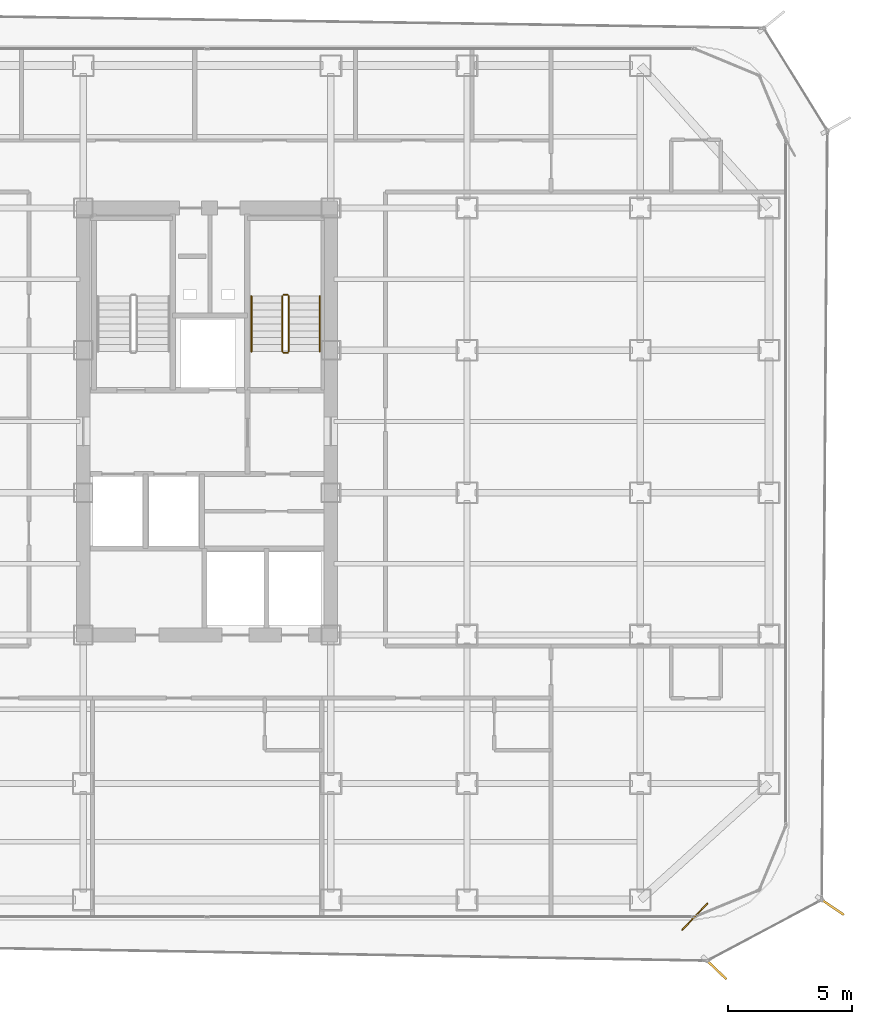
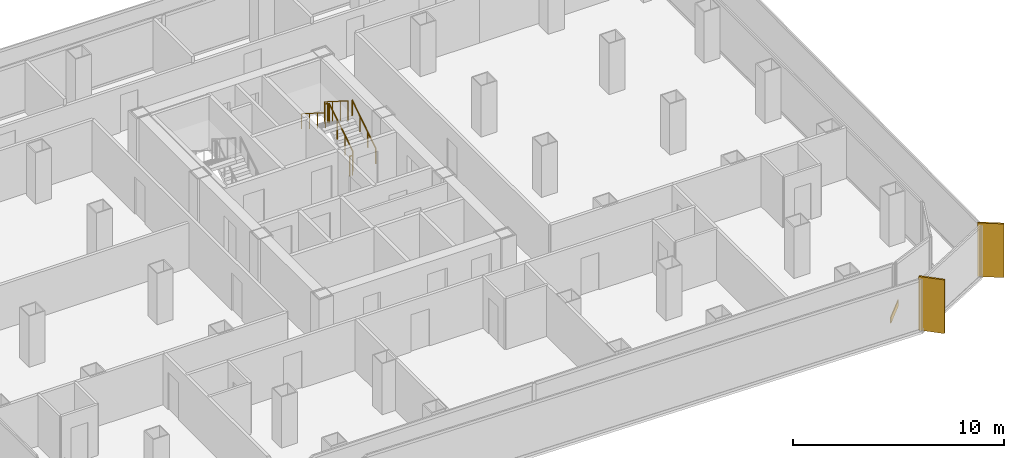
# One storey, part 20 of 21: 6 railings, 2 shading devices, 1 covering.
"""IFC4 building model written with IfcOpenShell, lengths in metres."""

from ifc_helpers import new_model, si_unit, direction, frame, origin, origin_2d, place, context, subcontext, project, spatial, rectangle, circle, extrude, source, transform, mapped, material, layer, layer_set, type_object, element, save


model = new_model("IFC4")

# Units and contexts
model_context = context("Model", 3, precision=1e-05, world=origin(), true_north=direction((0.0, 1.0)))
body_context = subcontext(model_context, "Body", "Model", "MODEL_VIEW")
ifc_project = project(units=[si_unit("LENGTHUNIT", "METRE"), si_unit("AREAUNIT", "SQUARE_METRE"), si_unit("VOLUMEUNIT", "CUBIC_METRE"), si_unit("PLANEANGLEUNIT", "RADIAN"), si_unit("MASSUNIT", "GRAM", prefix="KILO")], contexts=[model_context])

# Site, building, storey
site_placement = place(None, origin())
site = spatial("IfcSite", under=ifc_project, at=site_placement, CompositionType="ELEMENT")
building_placement = place(site_placement, origin())
building = spatial("IfcBuilding", under=site, at=building_placement, Name="Kolveth Station Tower", CompositionType="ELEMENT")
storey_placement = place(building_placement, frame((0.0, 0.0, 127.89990234375)))
storey = spatial("IfcBuildingStorey", under=building, at=storey_placement, Name="L35", CompositionType="ELEMENT", Elevation=127.89990234375)

# Railings
ifc_material_1 = material(Name="Painted Steel S355 balustrade", Category="steel")
railing_type_1 = type_object("IfcRailingType", Name="Guard_GR2", PredefinedType="BALUSTRADE", material=ifc_material_1)
railing_1_placement = place(storey_placement, frame((26.800048828125, 22.949951171875, 0.177978515625)))
element("IfcRailing", 1, at=railing_1_placement, inside=storey, type_object=railing_type_1, Name="L35 ST2 stair guard 1", PredefinedType="BALUSTRADE", context=body_context, shape_type="SweptSolid", body=[
    extrude(circle(Radius=0.02392578125, at=origin_2d()), frame((0.0, 0.0, 1.1259765625), z_axis=(0.0, 0.8442293374, 0.53598211339), x_axis=(-1.0, 0.0, 0.0)), (0.0, 0.0, 1.0), 2.6533203125),
    extrude(circle(Radius=0.02099609375, at=origin_2d()), origin(), (0.0, 0.0, 1.0), 1.101806640625),
    extrude(circle(Radius=0.02099609375, at=origin_2d()), frame((0.0, 0.74658203125, 0.47412109375)), (0.0, 0.0, 1.0), 1.101806640625),
    extrude(circle(Radius=0.02099609375, at=origin_2d()), frame((0.0, 1.493408203125, 0.947998046875)), (0.0, 0.0, 1.0), 1.101806640625),
    extrude(circle(Radius=0.02099609375, at=origin_2d()), frame((0.0, 2.239990234375, 1.422119140625)), (0.0, 0.0, 1.0), 1.101806640625),
])
railing_2_placement = place(storey_placement, frame((26.75, 25.239990234375, 1.60009765625)))
element("IfcRailing", 2, at=railing_2_placement, inside=storey, type_object=railing_type_1, Name="L35 ST2 stair guard 2", PredefinedType="BALUSTRADE", context=body_context, shape_type="SweptSolid", body=[
    extrude(circle(Radius=0.02392578125, at=origin_2d()), frame((0.0, 0.0, 1.1259765625), z_axis=(-1.0, 0.0, 0.0), x_axis=(0.0, -1.0, 0.0)), (0.0, 0.0, 1.0), 0.159912109375),
    extrude(circle(Radius=0.02099609375, at=origin_2d()), origin(), (0.0, 0.0, 1.0), 1.101806640625),
    extrude(circle(Radius=0.02099609375, at=origin_2d()), frame((-0.159912109375, 0.0, 0.0)), (0.0, 0.0, 1.0), 1.101806640625),
])
railing_3_placement = place(storey_placement, frame((26.5400390625, 25.18994140625, 1.77783203125)))
element("IfcRailing", 3, at=railing_3_placement, inside=storey, type_object=railing_type_1, Name="L35 ST2 stair guard 3", PredefinedType="BALUSTRADE", context=body_context, shape_type="SweptSolid", body=[
    extrude(circle(Radius=0.02392578125, at=origin_2d()), frame((0.0, 0.0, 1.1259765625), z_axis=(0.0, -0.84418770128, 0.536047689118), x_axis=(1.0, 0.0, 0.0)), (0.0, 0.0, 1.0), 2.6533203125),
    extrude(circle(Radius=0.02099609375, at=origin_2d()), origin(), (0.0, 0.0, 1.0), 1.101806640625),
    extrude(circle(Radius=0.02099609375, at=origin_2d()), frame((0.0, -0.74658203125, 0.47412109375)), (0.0, 0.0, 1.0), 1.101806640625),
    extrude(circle(Radius=0.02099609375, at=origin_2d()), frame((0.0, -1.493408203125, 0.9482421875)), (0.0, 0.0, 1.0), 1.101806640625),
    extrude(circle(Radius=0.02099609375, at=origin_2d()), frame((0.0, -2.239990234375, 1.42236328125)), (0.0, 0.0, 1.0), 1.101806640625),
])
railing_4_placement = place(storey_placement, frame((26.75, 22.89990234375, 0.0)))
element("IfcRailing", 4, at=railing_4_placement, inside=storey, type_object=railing_type_1, Name="L35 ST2 stair guard 4", PredefinedType="BALUSTRADE", context=body_context, shape_type="SweptSolid", body=[
    extrude(circle(Radius=0.02392578125, at=origin_2d()), frame((0.0, 0.0, 1.1259765625), z_axis=(-1.0, 0.0, 0.0), x_axis=(0.0, -1.0, 0.0)), (0.0, 0.0, 1.0), 0.159912109375),
    extrude(circle(Radius=0.02099609375, at=origin_2d()), origin(), (0.0, 0.0, 1.0), 1.101806640625),
    extrude(circle(Radius=0.02099609375, at=origin_2d()), frame((-0.159912109375, 0.0, 0.0)), (0.0, 0.0, 1.0), 1.101806640625),
])
ifc_material_2 = material(Name="Brushed stainless steel", Category="steel")
railing_type_2 = type_object("IfcRailingType", Name="Handrail_HR1", PredefinedType="HANDRAIL", material=ifc_material_2)
railing_5_placement = place(storey_placement, frame((28.050048828125, 22.949951171875, 0.177978515625)))
element("IfcRailing", 5, at=railing_5_placement, inside=storey, type_object=railing_type_2, Name="L35 ST2 stair handrail 1", PredefinedType="HANDRAIL", context=body_context, shape_type="SweptSolid", body=[
    extrude(circle(Radius=0.02392578125, at=origin_2d()), frame((0.0, 0.0, 0.8759765625), z_axis=(0.0, 0.8442293374, 0.53598211339), x_axis=(-1.0, 0.0, 0.0)), (0.0, 0.0, 1.0), 2.6533203125),
    extrude(circle(Radius=0.02099609375, at=origin_2d()), origin(), (0.0, 0.0, 1.0), 0.851806640625),
    extrude(circle(Radius=0.02099609375, at=origin_2d()), frame((0.0, 0.74658203125, 0.47412109375)), (0.0, 0.0, 1.0), 0.851806640625),
    extrude(circle(Radius=0.02099609375, at=origin_2d()), frame((0.0, 1.493408203125, 0.947998046875)), (0.0, 0.0, 1.0), 0.851806640625),
    extrude(circle(Radius=0.02099609375, at=origin_2d()), frame((0.0, 2.239990234375, 1.422119140625)), (0.0, 0.0, 1.0), 0.851806640625),
])
railing_6_placement = place(storey_placement, frame((25.2900390625, 25.18994140625, 1.77783203125)))
element("IfcRailing", 6, at=railing_6_placement, inside=storey, type_object=railing_type_2, Name="L35 ST2 stair handrail 2", PredefinedType="HANDRAIL", context=body_context, shape_type="SweptSolid", body=[
    extrude(circle(Radius=0.02392578125, at=origin_2d()), frame((0.0, 0.0, 0.8759765625), z_axis=(0.0, -0.84418770128, 0.536047689118), x_axis=(1.0, 0.0, 0.0)), (0.0, 0.0, 1.0), 2.6533203125),
    extrude(circle(Radius=0.02099609375, at=origin_2d()), origin(), (0.0, 0.0, 1.0), 0.851806640625),
    extrude(circle(Radius=0.02099609375, at=origin_2d()), frame((0.0, -0.74658203125, 0.47412109375)), (0.0, 0.0, 1.0), 0.851806640625),
    extrude(circle(Radius=0.02099609375, at=origin_2d()), frame((0.0, -1.493408203125, 0.9482421875)), (0.0, 0.0, 1.0), 0.851806640625),
    extrude(circle(Radius=0.02099609375, at=origin_2d()), frame((0.0, -2.239990234375, 1.42236328125)), (0.0, 0.0, 1.0), 0.851806640625),
])

# Shading devices
ifc_material_3 = material(Name="Black anodized aluminium 6063-T6", Category="aluminium")
shading_device_type = type_object("IfcShadingDeviceType", Name="FIN_VF1", PredefinedType="USERDEFINED", material=ifc_material_3)
shared_shape_1 = source(origin(), body_context, "Body", "SweptSolid", [
    extrude(rectangle(XDim=1.25, YDim=0.090087890625, at=origin_2d()), origin(), (0.0, 0.0, 1.0), 3.10009765625),
])
for number, where, z_axis, x_axis, name in (
    (7, (44.028076171875, -1.972900390625, 0.0), (0.0, 0.0, 1.0), (0.722846553171, -0.691008582124, 0.0), "L35 Dark-Aluminium Solar Fin 1"),
    (8, (48.7060546875, 0.5458984375, 0.0), (0.0, 0.0, 1.0), (0.827472780913, -0.561505829755, 0.0), "L35 Dark-Aluminium Solar Fin 2"),
):
    element("IfcShadingDevice", number, at=place(storey_placement, frame(where, z_axis=z_axis, x_axis=x_axis)), inside=storey, type_object=shading_device_type, Name=name, ObjectType="FIN", PredefinedType="USERDEFINED", context=body_context, shape_type="MappedRepresentation", body=[
        mapped(shared_shape_1, transform((0.0, 0.0, 0.0), x_axis=(1.0, 0.0, 0.0), y_axis=(0.0, 1.0, 0.0), z_axis=(0.0, 0.0, 1.0), scale=1.0)),
    ])

# Covering
ifc_material_4 = material(Name="Charcoal anodized aluminium spandrel cladding", Category="aluminium")
ifc_layer = layer(ifc_material_4, 0.044921875)
ifc_layer_set = layer_set([ifc_layer], Name="Charcoal anodized aluminium spandrel cladding")
covering_type = type_object("IfcCoveringType", Name="Clad_CD1", PredefinedType="CLADDING", material=ifc_layer_set)
shared_shape_2 = source(origin(), body_context, "Body", "SweptSolid", [
    extrude(rectangle(XDim=1.5, YDim=0.044921875, at=origin_2d()), origin(), (0.0, 0.0, 1.0), 0.360107421875),
])
covering_placement = place(storey_placement, frame((43.199951171875, 0.1201171875, 0.0), z_axis=(0.0, 0.0, 1.0), x_axis=(0.691008582124, 0.722846553171, 0.0)))
element("IfcCovering", 9, at=covering_placement, inside=storey, type_object=covering_type, Name="L35 Spandrel Edge Cladding 1", PredefinedType="CLADDING", context=body_context, shape_type="MappedRepresentation", body=[
    mapped(shared_shape_2, transform((0.0, 0.0, 0.0), x_axis=(1.0, 0.0, 0.0), y_axis=(0.0, 1.0, 0.0), z_axis=(0.0, 0.0, 1.0), scale=1.0)),
])

save(model, "model.ifc")
